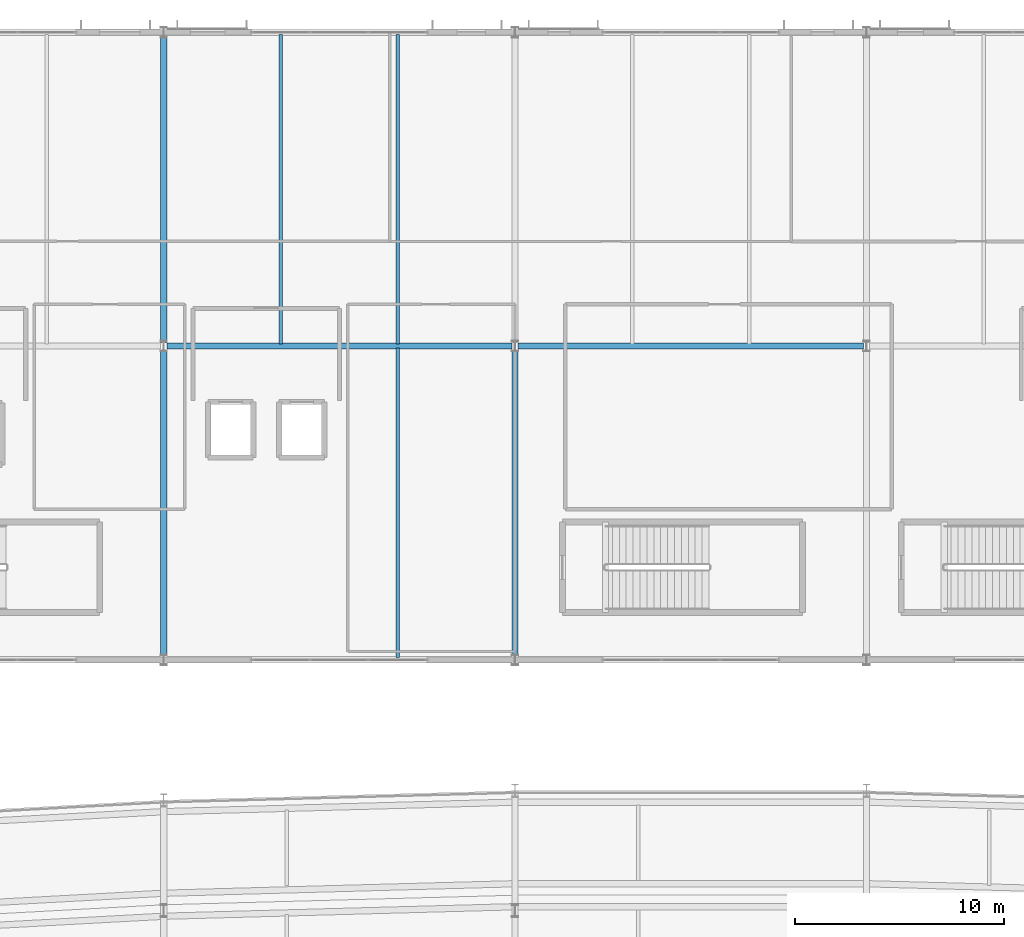
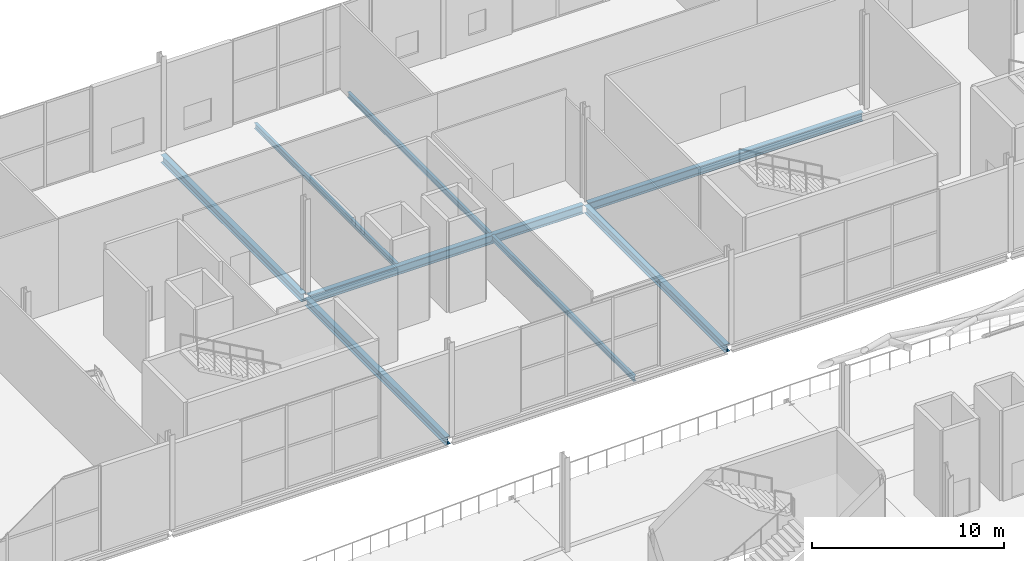
# One storey, part 40 of 100: 8 beams.
"""IFC4 building model written with IfcOpenShell, lengths in metres."""

from ifc_helpers import new_model, si_unit, direction, frame, origin, origin_2d, place, context, subcontext, project, spatial, i_section, extrude, material, material_profile, profile_set, type_object, element, save


model = new_model("IFC4")

# Units and contexts
model_context = context("Model", 3, precision=1e-05, world=origin(), true_north=direction((0.0, 1.0)))
body_context = subcontext(model_context, "Body", "Model", "MODEL_VIEW")
ifc_project = project(units=[si_unit("LENGTHUNIT", "METRE"), si_unit("AREAUNIT", "SQUARE_METRE"), si_unit("VOLUMEUNIT", "CUBIC_METRE"), si_unit("PLANEANGLEUNIT", "RADIAN"), si_unit("MASSUNIT", "GRAM", prefix="KILO")], contexts=[model_context])

# Site, building, storey
site_placement = place(None, origin())
site = spatial("IfcSite", under=ifc_project, at=site_placement, CompositionType="ELEMENT")
building_placement = place(site_placement, origin())
building = spatial("IfcBuilding", under=site, at=building_placement, Name="Kimbaza Rail Terminus", CompositionType="ELEMENT")
storey_placement = place(building_placement, frame((0.0, 0.0, 10.800048828125)))
storey = spatial("IfcBuildingStorey", under=building, at=storey_placement, Name="L02", CompositionType="ELEMENT", Elevation=10.800048828125)

# Beams
ifc_material_1 = material(Name="Steel S355", Category="steel")
ifc_material_profile_1 = material_profile(ifc_material_1, i_section(OverallWidth=0.300048828125, OverallDepth=0.5, WebThickness=0.014404296875, FlangeThickness=0.028076171875, FilletRadius=0.027099609375, at=origin_2d()), Name="HEB 500")
ifc_profile_set_1 = profile_set([ifc_material_profile_1], Name="Steel S355")
beam_type_1 = type_object("IfcBeamType", Name="STR-BM-HEB500", PredefinedType="BEAM", material=ifc_profile_set_1)
for number, where, z_axis, x_axis, name in (
    (1, (88.800048828125, 103.175048828125, -0.489990234375), (0.0, 1.0, 0.0), (-1.0, 0.0, 0.0), "Operations Cross Girder L02 X2-Y0"),
    (2, (88.800048828125, 118.175048828125, -0.489990234375), (0.0, 1.0, 0.0), (-1.0, 0.0, 0.0), "Operations Cross Girder L02 X2-Y1"),
    (3, (105.60009765625, 103.175048828125, -0.489990234375), (0.0, 1.0, 0.0), (-1.0, 0.0, 0.0), "Operations Cross Girder L02 X3-Y0"),
):
    element("IfcBeam", number, at=place(storey_placement, frame(where, z_axis=z_axis, x_axis=x_axis)), inside=storey, type_object=beam_type_1, Name=name, PredefinedType="BEAM", context=body_context, shape_type="SweptSolid", body=[
        extrude(i_section(OverallWidth=0.300048828125, OverallDepth=0.5, WebThickness=0.014404296875, FlangeThickness=0.028076171875, FilletRadius=0.027099609375, at=origin_2d()), origin(), (0.0, 0.0, 1.0), 14.64990234375),
    ])
ifc_material_2 = material(Name="Steel S355", Category="steel")
ifc_material_profile_2 = material_profile(ifc_material_2, i_section(OverallWidth=0.300048828125, OverallDepth=0.550048828125, WebThickness=0.014892578125, FlangeThickness=0.029052734375, FilletRadius=0.027099609375, at=origin_2d()), Name="HEB 550")
ifc_profile_set_2 = profile_set([ifc_material_profile_2], Name="Steel S355")
beam_type_2 = type_object("IfcBeamType", Name="STR-BM-HEB550", PredefinedType="BEAM", material=ifc_profile_set_2)
beam_1_placement = place(storey_placement, frame((88.946044921875, 118.0, -0.51513671875), z_axis=(1.0, 0.0, 0.0), x_axis=(0.0, 1.0, 0.0)))
element("IfcBeam", 4, at=beam_1_placement, inside=storey, type_object=beam_type_2, Name="Operations Girder L02 X2-Y1", PredefinedType="BEAM", context=body_context, shape_type="SweptSolid", body=[
    extrude(i_section(OverallWidth=0.300048828125, OverallDepth=0.550048828125, WebThickness=0.014892578125, FlangeThickness=0.029052734375, FilletRadius=0.027099609375, at=origin_2d()), origin(), (0.0, 0.0, 1.0), 16.508056640625),
])
beam_2_placement = place(storey_placement, frame((105.74609375, 118.0, -0.51513671875), z_axis=(1.0, 0.0, 0.0), x_axis=(0.0, 1.0, 0.0)))
element("IfcBeam", 5, at=beam_2_placement, inside=storey, type_object=beam_type_2, Name="Operations Girder L02 X3-Y1", PredefinedType="BEAM", context=body_context, shape_type="SweptSolid", body=[
    extrude(i_section(OverallWidth=0.300048828125, OverallDepth=0.550048828125, WebThickness=0.014892578125, FlangeThickness=0.029052734375, FilletRadius=0.027099609375, at=origin_2d()), origin(), (0.0, 0.0, 1.0), 16.5078125),
])
ifc_material_3 = material(Name="Steel S355", Category="steel")
ifc_material_profile_3 = material_profile(ifc_material_3, i_section(OverallWidth=0.169921875, OverallDepth=0.360107421875, WebThickness=0.008056640625, FlangeThickness=0.0126953125, FilletRadius=0.01806640625, at=origin_2d()), Name="IPE 360")
ifc_profile_set_3 = profile_set([ifc_material_profile_3], Name="Steel S355")
beam_type_3 = type_object("IfcBeamType", Name="STR-BM-IPE360", PredefinedType="JOIST", material=ifc_profile_set_3)
for number, where, z_axis, x_axis, name in (
    (6, (94.39990234375, 118.10009765625, -0.420166015625), (0.0, 1.0, 0.0), (-1.0, 0.0, 0.0), "Operations Secondary Joist L02"),
    (7, (100.0, 103.10009765625, -0.420166015625), (0.0, 1.0, 0.0), (-1.0, 0.0, 0.0), "Operations Secondary Joist L02"),
    (8, (100.0, 118.10009765625, -0.420166015625), (0.0, 1.0, 0.0), (-1.0, 0.0, 0.0), "Operations Secondary Joist L02"),
):
    element("IfcBeam", number, at=place(storey_placement, frame(where, z_axis=z_axis, x_axis=x_axis)), inside=storey, type_object=beam_type_3, Name=name, PredefinedType="JOIST", context=body_context, shape_type="SweptSolid", body=[
        extrude(i_section(OverallWidth=0.169921875, OverallDepth=0.360107421875, WebThickness=0.008056640625, FlangeThickness=0.0126953125, FilletRadius=0.01806640625, at=origin_2d()), origin(), (0.0, 0.0, 1.0), 14.7998046875),
    ])

save(model, "model.ifc")
